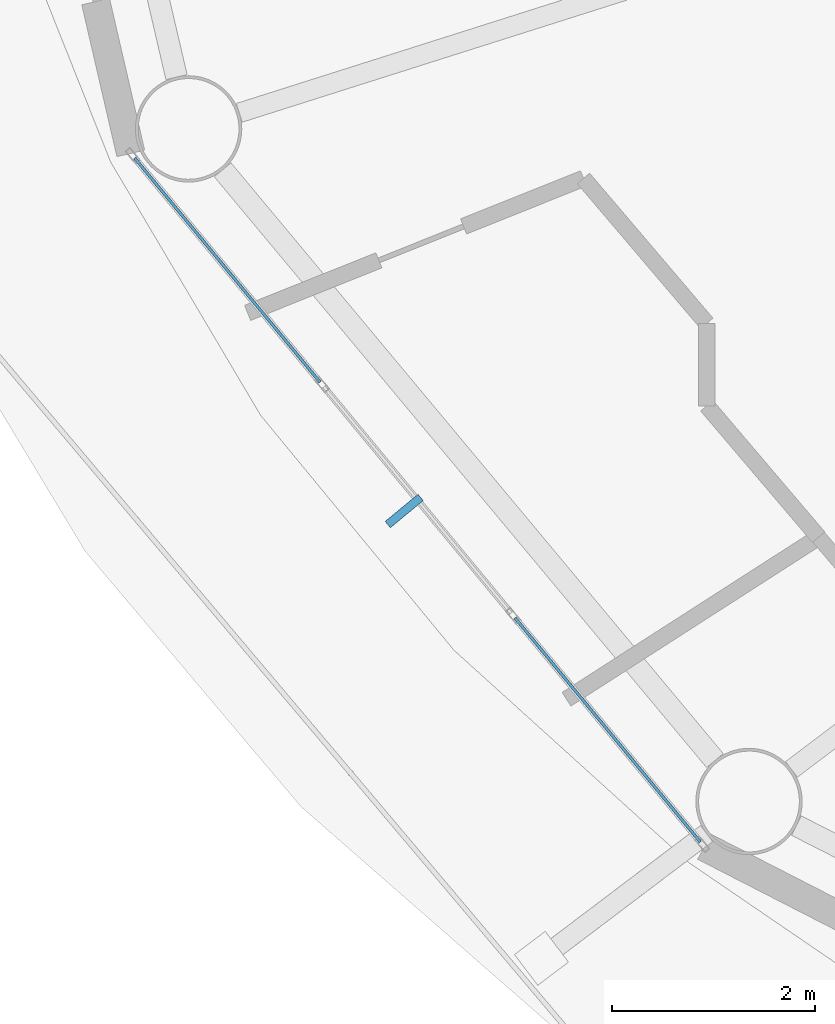
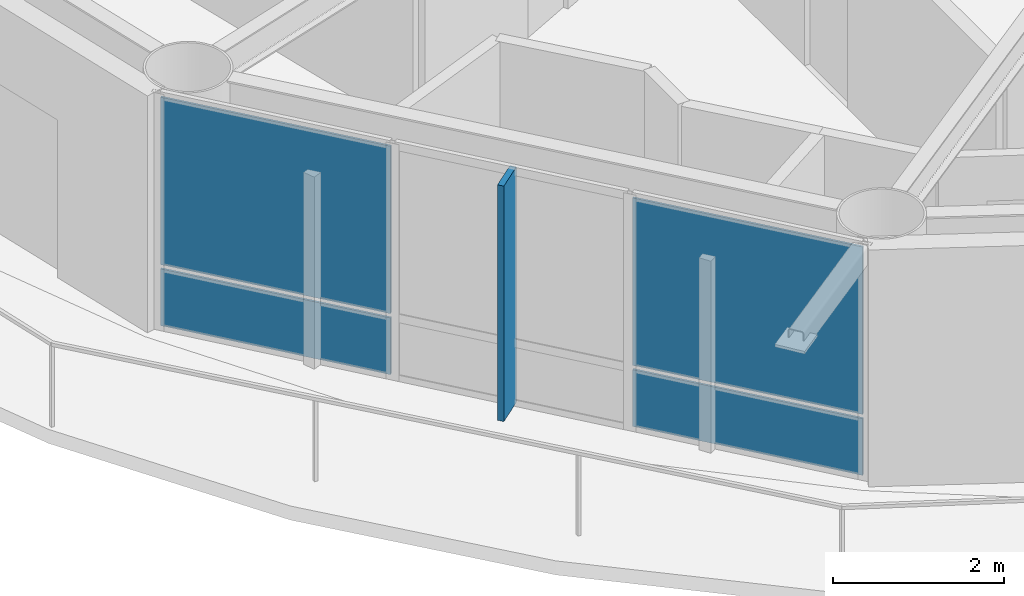
# One storey, part 17 of 30: 5 plates, 1 element without a shape of its own.
"""IFC4 building model written with IfcOpenShell, lengths in metres."""

from ifc_helpers import new_model, si_unit, direction, frame, origin, origin_2d, place, context, subcontext, project, spatial, rectangle, extrude, material, layer, layer_set, type_object, element, aggregate, save


model = new_model("IFC4")

# Units and contexts
model_context = context("Model", 3, precision=1e-05, world=origin(), true_north=direction((0.0, 1.0)))
body_context = subcontext(model_context, "Body", "Model", "MODEL_VIEW")
ifc_project = project(units=[si_unit("LENGTHUNIT", "METRE"), si_unit("AREAUNIT", "SQUARE_METRE"), si_unit("VOLUMEUNIT", "CUBIC_METRE"), si_unit("PLANEANGLEUNIT", "RADIAN"), si_unit("MASSUNIT", "GRAM", prefix="KILO")], contexts=[model_context])

# Site, building, storey
site_placement = place(None, origin())
site = spatial("IfcSite", under=ifc_project, at=site_placement, CompositionType="ELEMENT")
building_placement = place(site_placement, origin())
building = spatial("IfcBuilding", under=site, at=building_placement, Name="Sarneth Arch Tower", CompositionType="ELEMENT")
storey_placement = place(building_placement, frame((0.0, 0.0, 168.60009765625)))
storey = spatial("IfcBuildingStorey", under=building, at=storey_placement, Name="L42", CompositionType="ELEMENT", Elevation=168.60009765625)

# Curtain wall, plates
ifc_material_1 = material(Name="Anodised aluminium Type AA25 and solar-control low-e laminated IGU", Category="aluminium")
ifc_layer_1 = layer(ifc_material_1, 0.169921875)
ifc_layer_set_1 = layer_set([ifc_layer_1], Name="Anodised aluminium Type AA25 and solar-control low-e laminated IGU")
curtain_wall_type = type_object("IfcCurtainWallType", Name="CW-RES-MID", PredefinedType="NOTDEFINED", material=ifc_layer_set_1)
curtain_wall_placement = place(storey_placement, origin())
curtain_wall = element("IfcCurtainWall", 1, at=curtain_wall_placement, inside=storey, type_object=curtain_wall_type, Name="L42 Unitised curtain wall facet 10", PredefinedType="NOTDEFINED")
ifc_material_2 = material(Name="Solar-control low-e laminated IGU", Category="glass")
ifc_layer_2 = layer(ifc_material_2, 0.028076171875)
ifc_layer_set_2 = layer_set([ifc_layer_2], Name="Solar-control low-e laminated IGU")
plate_type_1 = type_object("IfcPlateType", Name="CW-PANEL", PredefinedType="CURTAIN_PANEL", material=ifc_layer_set_2)
plate_1_placement = place(storey_placement, frame((23.719970703125, 32.78173828125, 0.059814453125), z_axis=(0.0, 0.0, 1.0), x_axis=(0.637330298558, -0.770590741276, 0.0)))
plate_1 = element("IfcPlate", 2, at=plate_1_placement, type_object=plate_type_1, Name="Curtain wall glazed vision pane CW-L42-F10/P00-00", PredefinedType="CURTAIN_PANEL", context=body_context, shape_type="SweptSolid", body=[
    extrude(rectangle(XDim=2.8681640625, YDim=0.028076171875, at=origin_2d()), origin(), (0.0, 0.0, 1.0), 0.81005859375),
])
plate_2_placement = place(storey_placement, frame((23.719970703125, 32.78173828125, 0.93017578125), z_axis=(0.0, 0.0, 1.0), x_axis=(0.637330298558, -0.770590741276, 0.0)))
plate_2 = element("IfcPlate", 3, at=plate_2_placement, type_object=plate_type_1, Name="Curtain wall glazed vision pane CW-L42-F10/P00-01", PredefinedType="CURTAIN_PANEL", context=body_context, shape_type="SweptSolid", body=[
    extrude(rectangle(XDim=2.8681640625, YDim=0.028076171875, at=origin_2d()), origin(), (0.0, 0.0, 1.0), 2.389892578125),
])
plate_3_placement = place(storey_placement, frame((27.4716796875, 28.24560546875, 0.059814453125), z_axis=(0.0, 0.0, 1.0), x_axis=(0.637330298558, -0.770590741276, 0.0)))
plate_3 = element("IfcPlate", 4, at=plate_3_placement, type_object=plate_type_1, Name="Curtain wall glazed vision pane CW-L42-F10/P02-00", PredefinedType="CURTAIN_PANEL", context=body_context, shape_type="SweptSolid", body=[
    extrude(rectangle(XDim=2.8681640625, YDim=0.028076171875, at=origin_2d()), origin(), (0.0, 0.0, 1.0), 0.81005859375),
])
plate_4_placement = place(storey_placement, frame((27.4716796875, 28.24560546875, 0.93017578125), z_axis=(0.0, 0.0, 1.0), x_axis=(0.637330298558, -0.770590741276, 0.0)))
plate_4 = element("IfcPlate", 5, at=plate_4_placement, type_object=plate_type_1, Name="Curtain wall glazed vision pane CW-L42-F10/P02-01", PredefinedType="CURTAIN_PANEL", context=body_context, shape_type="SweptSolid", body=[
    extrude(rectangle(XDim=2.8681640625, YDim=0.028076171875, at=origin_2d()), origin(), (0.0, 0.0, 1.0), 2.389892578125),
])
aggregate(curtain_wall, [plate_1, plate_2, plate_3, plate_4])

# Plate
ifc_material_3 = material(Name="Extruded glazed terracotta baguette fin on Aluminium 6063-T6 carrier", Category="masonry")
ifc_layer_3 = layer(ifc_material_3, 0.080078125)
ifc_layer_set_3 = layer_set([ifc_layer_3], Name="Extruded glazed terracotta baguette fin on Aluminium 6063-T6 carrier")
plate_type_2 = type_object("IfcPlateType", Name="SHADE-TERRA-FIN", PredefinedType="SHEET", material=ifc_layer_set_3)
plate_5_placement = place(storey_placement, frame((25.46484375, 30.4052734375, 0.009765625), z_axis=(0.0, 0.0, 1.0), x_axis=(-0.770624482513, -0.637289500111, 0.0)))
element("IfcPlate", 6, at=plate_5_placement, inside=storey, type_object=plate_type_2, Name="L42 Terracotta vertical shading fin 10", PredefinedType="SHEET", context=body_context, shape_type="SweptSolid", body=[
    extrude(rectangle(XDim=0.419921875, YDim=0.080078125, at=origin_2d()), origin(), (0.0, 0.0, 1.0), 3.360107421875),
])

save(model, "model.ifc")
